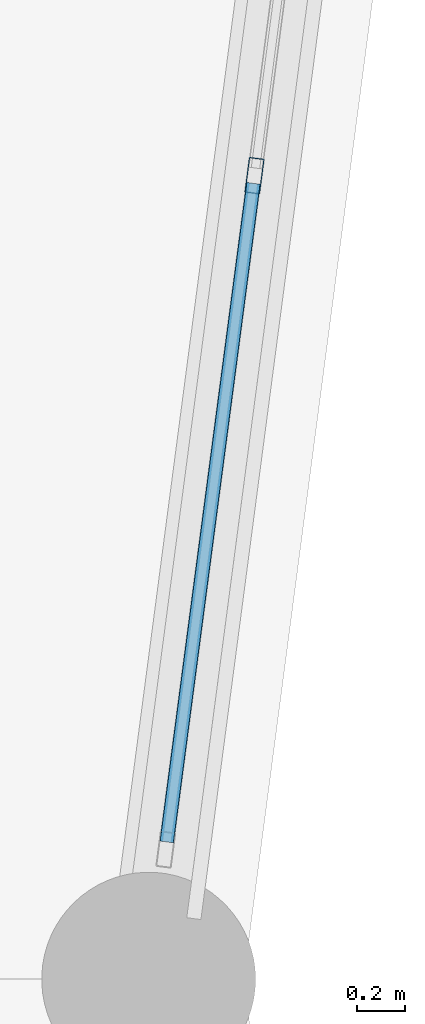
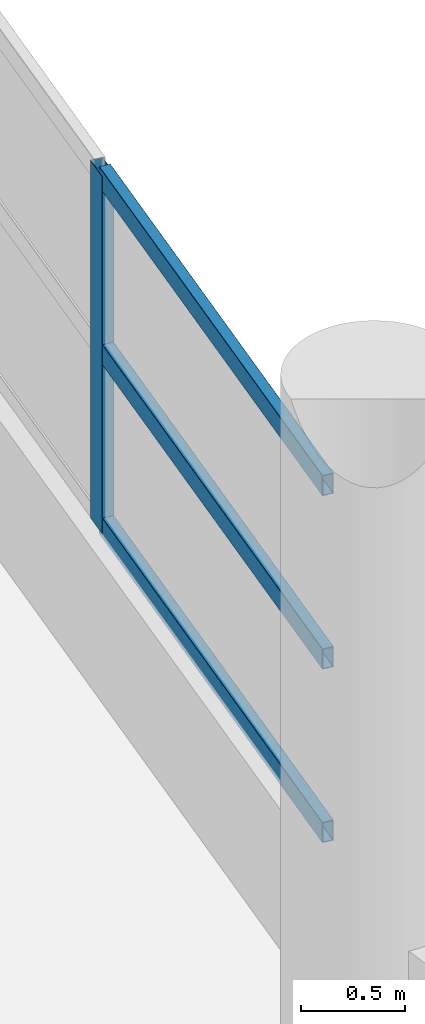
# One storey, part 14 of 53: 4 members, 1 element without a shape of its own.
"""IFC4 building model written with IfcOpenShell, lengths in metres."""

from ifc_helpers import new_model, si_unit, direction, frame, origin, origin_2d, place, context, subcontext, project, spatial, hollow_rectangle, extrude, material, layer, layer_set, material_profile, profile_set, type_object, element, aggregate, save


model = new_model("IFC4")

# Units and contexts
model_context = context("Model", 3, precision=1e-05, world=origin(), true_north=direction((0.0, 1.0)))
body_context = subcontext(model_context, "Body", "Model", "MODEL_VIEW")
ifc_project = project(units=[si_unit("LENGTHUNIT", "METRE"), si_unit("AREAUNIT", "SQUARE_METRE"), si_unit("VOLUMEUNIT", "CUBIC_METRE"), si_unit("PLANEANGLEUNIT", "RADIAN"), si_unit("MASSUNIT", "GRAM", prefix="KILO")], contexts=[model_context])

# Site, building, storey
site_placement = place(None, origin())
site = spatial("IfcSite", under=ifc_project, at=site_placement, CompositionType="ELEMENT")
building_placement = place(site_placement, origin())
building = spatial("IfcBuilding", under=site, at=building_placement, Name="Vespera Passage Community Centre", CompositionType="ELEMENT")
storey_placement = place(building_placement, frame((0.0, 0.0, 20.39990234375)))
storey = spatial("IfcBuildingStorey", under=building, at=storey_placement, Name="L05", CompositionType="ELEMENT", Elevation=20.39990234375)

# Curtain wall, members
ifc_material_1 = material(Name="Anodized aluminium 6063-T6", Category="aluminium")
ifc_layer = layer(ifc_material_1, 0.159912109375)
ifc_layer_set = layer_set([ifc_layer], Name="Anodized aluminium 6063-T6")
curtain_wall_type = type_object("IfcCurtainWallType", Name="CW-58E", PredefinedType="NOTDEFINED", material=ifc_layer_set)
curtain_wall_placement = place(storey_placement, origin())
curtain_wall = element("IfcCurtainWall", 1, at=curtain_wall_placement, inside=storey, type_object=curtain_wall_type, Name="V4 L05 Inner Court Curtain Wall 11", PredefinedType="NOTDEFINED")
ifc_material_2 = material(Name="Anodized aluminium 6063-T6", Category="aluminium")
ifc_material_profile_1 = material_profile(ifc_material_2, hollow_rectangle(XDim=0.06494140625, YDim=0.14990234375, WallThickness=0.00390625, InnerFilletRadius=0.001953125, OuterFilletRadius=0.00390625, at=origin_2d()), Name="ALU150X65X4")
ifc_profile_set_1 = profile_set([ifc_material_profile_1], Name="Anodized aluminium 6063-T6")
member_type_1 = type_object("IfcMemberType", Name="MB-CWM-150E", PredefinedType="MULLION", material=ifc_profile_set_1)
member_1_placement = place(storey_placement, frame((41.2451171875, 68.88037109375, 0.820068359375), z_axis=(0.0, 0.0, 1.0), x_axis=(0.991445387728, -0.1305221941, 0.0)))
member_1 = element("IfcMember", 2, at=member_1_placement, type_object=member_type_1, Name="CW-58E mullion 3", PredefinedType="MULLION", context=body_context, shape_type="SweptSolid", body=[
    extrude(hollow_rectangle(XDim=0.06494140625, YDim=0.14990234375, WallThickness=0.00390625, InnerFilletRadius=0.001953125, OuterFilletRadius=0.00390625, at=origin_2d()), origin(), (0.0, 0.0, 1.0), 2.08935546875),
])
ifc_material_3 = material(Name="Anodized aluminium 6063-T6", Category="aluminium")
ifc_material_profile_2 = material_profile(ifc_material_3, hollow_rectangle(XDim=0.06005859375, YDim=0.1201171875, WallThickness=0.00390625, InnerFilletRadius=0.001953125, OuterFilletRadius=0.00390625, at=origin_2d()), Name="ALU120X60X4")
ifc_profile_set_2 = profile_set([ifc_material_profile_2], Name="Anodized aluminium 6063-T6")
member_type_2 = type_object("IfcMemberType", Name="MB-CWT-120E", PredefinedType="USERDEFINED", material=ifc_profile_set_2)
member_2_placement = place(storey_placement, frame((41.24072265625, 68.84814453125, 0.85009765625), z_axis=(-0.130526832651, -0.991444777059, 0.0), x_axis=(0.991444777059, -0.130526832651, 0.0)))
member_2 = element("IfcMember", 3, at=member_2_placement, type_object=member_type_2, Name="CW-58E transom 3.1", ObjectType="TRANSOM", PredefinedType="USERDEFINED", context=body_context, shape_type="SweptSolid", body=[
    extrude(hollow_rectangle(XDim=0.06005859375, YDim=0.1201171875, WallThickness=0.00390625, InnerFilletRadius=0.001953125, OuterFilletRadius=0.00390625, at=origin_2d()), origin(), (0.0, 0.0, 1.0), 2.79443359375),
])
member_3_placement = place(storey_placement, frame((41.24072265625, 68.84814453125, 1.86474609375), z_axis=(-0.130526832651, -0.991444777059, 0.0), x_axis=(0.991444777059, -0.130526832651, 0.0)))
member_3 = element("IfcMember", 4, at=member_3_placement, type_object=member_type_2, Name="CW-58E transom 3.2", ObjectType="TRANSOM", PredefinedType="USERDEFINED", context=body_context, shape_type="SweptSolid", body=[
    extrude(hollow_rectangle(XDim=0.06005859375, YDim=0.1201171875, WallThickness=0.00390625, InnerFilletRadius=0.001953125, OuterFilletRadius=0.00390625, at=origin_2d()), origin(), (0.0, 0.0, 1.0), 2.79443359375),
])
member_4_placement = place(storey_placement, frame((41.24072265625, 68.84814453125, 2.87939453125), z_axis=(-0.130526832651, -0.991444777059, 0.0), x_axis=(0.991444777059, -0.130526832651, 0.0)))
member_4 = element("IfcMember", 5, at=member_4_placement, type_object=member_type_2, Name="CW-58E transom 3.3", ObjectType="TRANSOM", PredefinedType="USERDEFINED", context=body_context, shape_type="SweptSolid", body=[
    extrude(hollow_rectangle(XDim=0.06005859375, YDim=0.1201171875, WallThickness=0.00390625, InnerFilletRadius=0.001953125, OuterFilletRadius=0.00390625, at=origin_2d()), origin(), (0.0, 0.0, 1.0), 2.79443359375),
])
aggregate(curtain_wall, [member_1, member_2, member_3, member_4])

save(model, "model.ifc")
